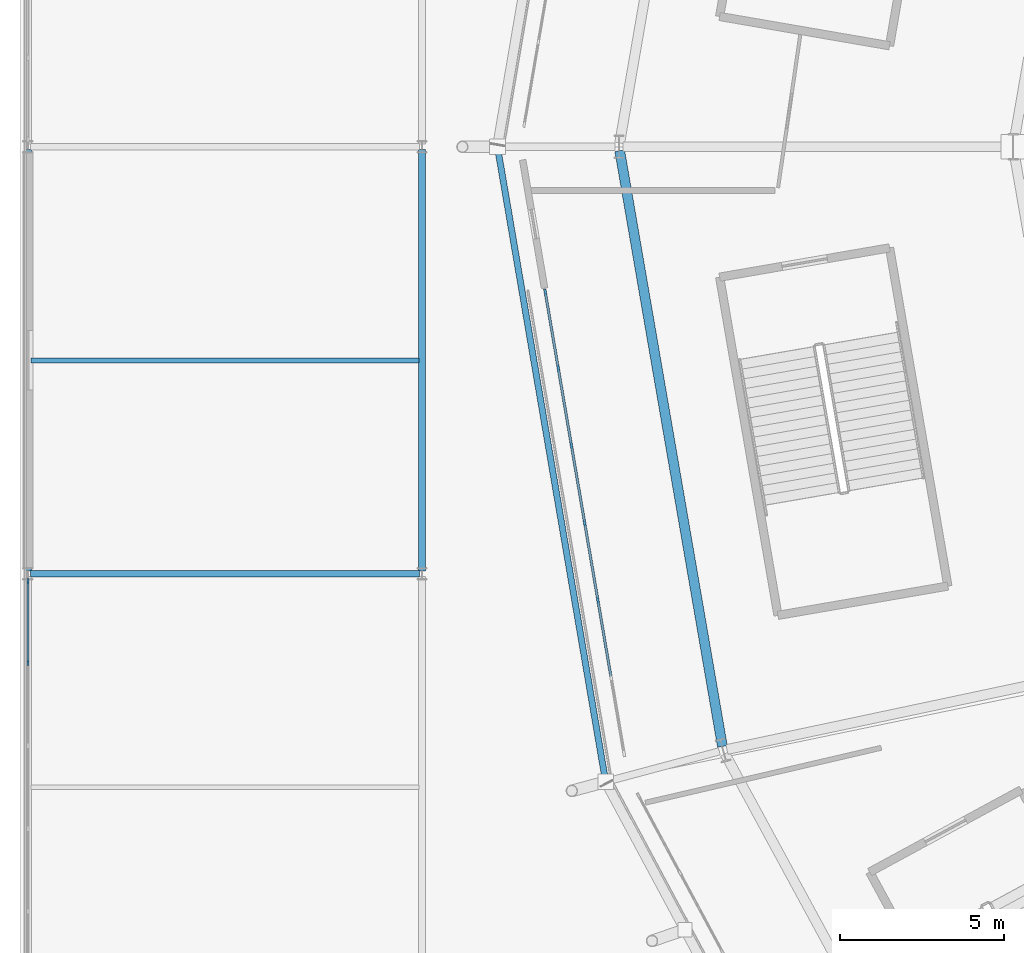
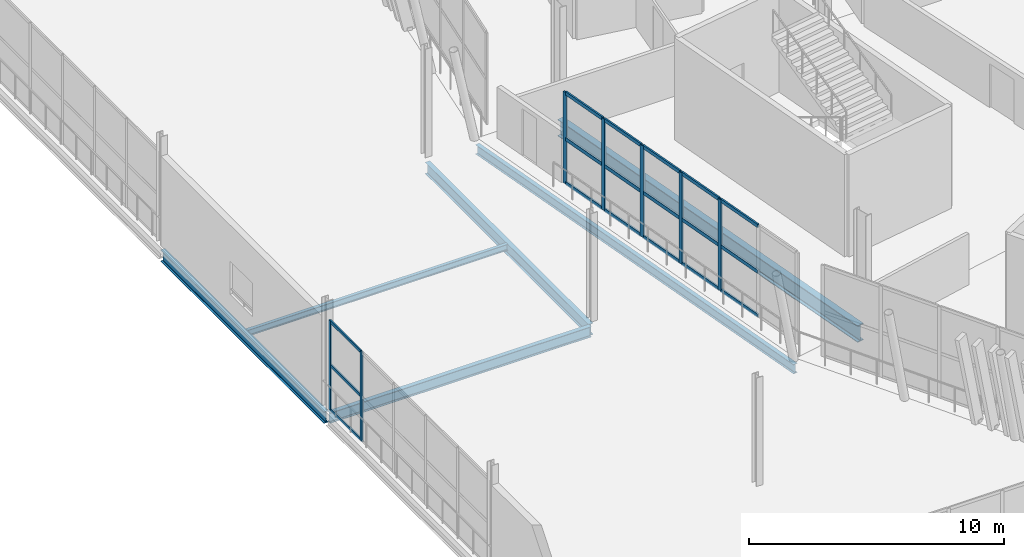
# One storey, part 35 of 168: 25 members, 6 beams, 2 elements without a shape of their own.
"""IFC4 building model written with IfcOpenShell, lengths in metres."""

from ifc_helpers import new_model, si_unit, direction, frame, origin, origin_2d, place, context, subcontext, project, spatial, rectangle, i_section, extrude, material, material_profile, profile_set, type_object, element, aggregate, save


model = new_model("IFC4")

# Units and contexts
model_context = context("Model", 3, precision=1e-05, world=origin(), true_north=direction((0.0, 1.0)))
body_context = subcontext(model_context, "Body", "Model", "MODEL_VIEW")
ifc_project = project(units=[si_unit("LENGTHUNIT", "METRE"), si_unit("AREAUNIT", "SQUARE_METRE"), si_unit("VOLUMEUNIT", "CUBIC_METRE"), si_unit("PLANEANGLEUNIT", "RADIAN"), si_unit("MASSUNIT", "GRAM", prefix="KILO")], contexts=[model_context])

# Site, building, storey
site_placement = place(None, origin())
site = spatial("IfcSite", under=ifc_project, at=site_placement, CompositionType="ELEMENT")
building_placement = place(site_placement, origin())
building = spatial("IfcBuilding", under=site, at=building_placement, Name="Zlatoyarsky Gate Stadium", CompositionType="ELEMENT")
storey_placement = place(building_placement, frame((0.0, 0.0, 15.60009765625)))
storey = spatial("IfcBuildingStorey", under=building, at=storey_placement, Name="L03", CompositionType="ELEMENT", Elevation=15.60009765625)

# Curtain wall, members
ifc_material_1 = material(Name="Thermally broken anodised aluminium curtain wall", Category="aluminium")
curtain_wall_type_1 = type_object("IfcCurtainWallType", Name="MONUMENTAL ARCHED GATE GLAZING UPPER", PredefinedType="USERDEFINED", material=ifc_material_1)
curtain_wall_1_placement = place(storey_placement, origin())
curtain_wall_1 = element("IfcCurtainWall", 1, at=curtain_wall_1_placement, inside=storey, type_object=curtain_wall_type_1, Name="Curtain wall CW-L03-12", ObjectType="ARCHED GATE GLAZING", PredefinedType="USERDEFINED")
ifc_material_2 = material(Name="Anodised aluminium 6063-T6", Category="aluminium")
ifc_material_profile_1 = material_profile(ifc_material_2, rectangle(XDim=0.074951171875, YDim=0.18994140625, at=origin_2d()), Name="ALU 75X190")
ifc_profile_set_1 = profile_set([ifc_material_profile_1], Name="Anodised aluminium 6063-T6")
member_type_1 = type_object("IfcMemberType", Name="ALUMINIUM GATE MULLION 75X190", PredefinedType="MULLION", material=ifc_profile_set_1)
member_1_placement = place(storey_placement, frame((15.75341796875, 75.576416015625, 0.0), z_axis=(0.0, 0.0, 1.0), x_axis=(0.985726654508, 0.168353683036, 0.0)))
member_1 = element("IfcMember", 2, at=member_1_placement, type_object=member_type_1, Name="CW-AG2 mullion 1", PredefinedType="MULLION", context=body_context, shape_type="SweptSolid", body=[
    extrude(rectangle(XDim=0.074951171875, YDim=0.18994140625, at=origin_2d()), origin(), (0.0, 0.0, 1.0), 4.3798828125),
])
member_2_placement = place(storey_placement, frame((16.149169921875, 73.25927734375, 0.0), z_axis=(0.0, 0.0, 1.0), x_axis=(0.985726654508, 0.168353683036, 0.0)))
member_2 = element("IfcMember", 3, at=member_2_placement, type_object=member_type_1, Name="CW-AG2 mullion 2", PredefinedType="MULLION", context=body_context, shape_type="SweptSolid", body=[
    extrude(rectangle(XDim=0.074951171875, YDim=0.18994140625, at=origin_2d()), origin(), (0.0, 0.0, 1.0), 4.3798828125),
])
member_3_placement = place(storey_placement, frame((16.55126953125, 70.90478515625, 0.0), z_axis=(0.0, 0.0, 1.0), x_axis=(0.985726654508, 0.168353683036, 0.0)))
member_3 = element("IfcMember", 4, at=member_3_placement, type_object=member_type_1, Name="CW-AG2 mullion 3", PredefinedType="MULLION", context=body_context, shape_type="SweptSolid", body=[
    extrude(rectangle(XDim=0.074951171875, YDim=0.18994140625, at=origin_2d()), origin(), (0.0, 0.0, 1.0), 4.3798828125),
])
member_4_placement = place(storey_placement, frame((16.953369140625, 68.550537109375, 0.0), z_axis=(0.0, 0.0, 1.0), x_axis=(0.985726654508, 0.168353683036, 0.0)))
member_4 = element("IfcMember", 5, at=member_4_placement, type_object=member_type_1, Name="CW-AG2 mullion 4", PredefinedType="MULLION", context=body_context, shape_type="SweptSolid", body=[
    extrude(rectangle(XDim=0.074951171875, YDim=0.18994140625, at=origin_2d()), origin(), (0.0, 0.0, 1.0), 4.3798828125),
])
member_5_placement = place(storey_placement, frame((17.35546875, 66.196044921875, 0.0), z_axis=(0.0, 0.0, 1.0), x_axis=(0.985726654508, 0.168353683036, 0.0)))
member_5 = element("IfcMember", 6, at=member_5_placement, type_object=member_type_1, Name="CW-AG2 mullion 5", PredefinedType="MULLION", context=body_context, shape_type="SweptSolid", body=[
    extrude(rectangle(XDim=0.074951171875, YDim=0.18994140625, at=origin_2d()), origin(), (0.0, 0.0, 1.0), 4.3798828125),
])
ifc_material_profile_2 = material_profile(ifc_material_2, rectangle(XDim=0.074951171875, YDim=0.169921875, at=origin_2d()), Name="ALU 75X170")
ifc_profile_set_2 = profile_set([ifc_material_profile_2], Name="Anodised aluminium 6063-T6")
member_type_2 = type_object("IfcMemberType", Name="ALUMINIUM GATE TRANSOM 75X170", PredefinedType="USERDEFINED", material=ifc_profile_set_2)
member_6_placement = place(storey_placement, frame((15.759521484375, 75.53955078125, 0.037353515625), z_axis=(0.168415948248, -0.985716018119, 0.0), x_axis=(0.985716018119, 0.168415948248, 0.0)))
member_6 = element("IfcMember", 7, at=member_6_placement, type_object=member_type_2, Name="CW-AG2 transom 1.1", ObjectType="TRANSOM", PredefinedType="USERDEFINED", context=body_context, shape_type="SweptSolid", body=[
    extrude(rectangle(XDim=0.074951171875, YDim=0.169921875, at=origin_2d()), origin(), (0.0, 0.0, 1.0), 2.27587890625),
])
member_7_placement = place(storey_placement, frame((15.759521484375, 75.53955078125, 2.14990234375), z_axis=(0.168415948248, -0.985716018119, 0.0), x_axis=(0.985716018119, 0.168415948248, 0.0)))
member_7 = element("IfcMember", 8, at=member_7_placement, type_object=member_type_2, Name="CW-AG2 transom 1.2", ObjectType="TRANSOM", PredefinedType="USERDEFINED", context=body_context, shape_type="SweptSolid", body=[
    extrude(rectangle(XDim=0.074951171875, YDim=0.169921875, at=origin_2d()), origin(), (0.0, 0.0, 1.0), 2.27587890625),
])
member_8_placement = place(storey_placement, frame((15.759521484375, 75.53955078125, 4.34228515625), z_axis=(0.168415948248, -0.985716018119, 0.0), x_axis=(0.985716018119, 0.168415948248, 0.0)))
member_8 = element("IfcMember", 9, at=member_8_placement, type_object=member_type_2, Name="CW-AG2 transom 1.3", ObjectType="TRANSOM", PredefinedType="USERDEFINED", context=body_context, shape_type="SweptSolid", body=[
    extrude(rectangle(XDim=0.074951171875, YDim=0.169921875, at=origin_2d()), origin(), (0.0, 0.0, 1.0), 2.27587890625),
])
member_9_placement = place(storey_placement, frame((16.155517578125, 73.22216796875, 0.037353515625), z_axis=(0.168333980808, -0.985730019278, 0.0), x_axis=(0.985730019278, 0.168333980808, 0.0)))
member_9 = element("IfcMember", 10, at=member_9_placement, type_object=member_type_2, Name="CW-AG2 transom 2.1", ObjectType="TRANSOM", PredefinedType="USERDEFINED", context=body_context, shape_type="SweptSolid", body=[
    extrude(rectangle(XDim=0.074951171875, YDim=0.169921875, at=origin_2d()), origin(), (0.0, 0.0, 1.0), 2.313232421875),
])
member_10_placement = place(storey_placement, frame((16.155517578125, 73.22216796875, 2.14990234375), z_axis=(0.168333980808, -0.985730019278, 0.0), x_axis=(0.985730019278, 0.168333980808, 0.0)))
member_10 = element("IfcMember", 11, at=member_10_placement, type_object=member_type_2, Name="CW-AG2 transom 2.2", ObjectType="TRANSOM", PredefinedType="USERDEFINED", context=body_context, shape_type="SweptSolid", body=[
    extrude(rectangle(XDim=0.074951171875, YDim=0.169921875, at=origin_2d()), origin(), (0.0, 0.0, 1.0), 2.313232421875),
])
member_11_placement = place(storey_placement, frame((16.155517578125, 73.22216796875, 4.34228515625), z_axis=(0.168333980808, -0.985730019278, 0.0), x_axis=(0.985730019278, 0.168333980808, 0.0)))
member_11 = element("IfcMember", 12, at=member_11_placement, type_object=member_type_2, Name="CW-AG2 transom 2.3", ObjectType="TRANSOM", PredefinedType="USERDEFINED", context=body_context, shape_type="SweptSolid", body=[
    extrude(rectangle(XDim=0.074951171875, YDim=0.169921875, at=origin_2d()), origin(), (0.0, 0.0, 1.0), 2.313232421875),
])
member_12_placement = place(storey_placement, frame((16.5576171875, 70.867919921875, 0.037353515625), z_axis=(0.168316470396, -0.985733009386, 0.0), x_axis=(0.985733009386, 0.168316470396, 0.0)))
member_12 = element("IfcMember", 13, at=member_12_placement, type_object=member_type_2, Name="CW-AG2 transom 3.1", ObjectType="TRANSOM", PredefinedType="USERDEFINED", context=body_context, shape_type="SweptSolid", body=[
    extrude(rectangle(XDim=0.074951171875, YDim=0.169921875, at=origin_2d()), origin(), (0.0, 0.0, 1.0), 2.3134765625),
])
member_13_placement = place(storey_placement, frame((16.5576171875, 70.867919921875, 2.14990234375), z_axis=(0.168316470396, -0.985733009386, 0.0), x_axis=(0.985733009386, 0.168316470396, 0.0)))
member_13 = element("IfcMember", 14, at=member_13_placement, type_object=member_type_2, Name="CW-AG2 transom 3.2", ObjectType="TRANSOM", PredefinedType="USERDEFINED", context=body_context, shape_type="SweptSolid", body=[
    extrude(rectangle(XDim=0.074951171875, YDim=0.169921875, at=origin_2d()), origin(), (0.0, 0.0, 1.0), 2.3134765625),
])
member_14_placement = place(storey_placement, frame((16.5576171875, 70.867919921875, 4.34228515625), z_axis=(0.168316470396, -0.985733009386, 0.0), x_axis=(0.985733009386, 0.168316470396, 0.0)))
member_14 = element("IfcMember", 15, at=member_14_placement, type_object=member_type_2, Name="CW-AG2 transom 3.3", ObjectType="TRANSOM", PredefinedType="USERDEFINED", context=body_context, shape_type="SweptSolid", body=[
    extrude(rectangle(XDim=0.074951171875, YDim=0.169921875, at=origin_2d()), origin(), (0.0, 0.0, 1.0), 2.3134765625),
])
member_15_placement = place(storey_placement, frame((16.959716796875, 68.513427734375, 0.037353515625), z_axis=(0.168333980808, -0.985730019278, 0.0), x_axis=(0.985730019278, 0.168333980808, 0.0)))
member_15 = element("IfcMember", 16, at=member_15_placement, type_object=member_type_2, Name="CW-AG2 transom 4.1", ObjectType="TRANSOM", PredefinedType="USERDEFINED", context=body_context, shape_type="SweptSolid", body=[
    extrude(rectangle(XDim=0.074951171875, YDim=0.169921875, at=origin_2d()), origin(), (0.0, 0.0, 1.0), 2.313232421875),
])
member_16_placement = place(storey_placement, frame((16.959716796875, 68.513427734375, 2.14990234375), z_axis=(0.168333980808, -0.985730019278, 0.0), x_axis=(0.985730019278, 0.168333980808, 0.0)))
member_16 = element("IfcMember", 17, at=member_16_placement, type_object=member_type_2, Name="CW-AG2 transom 4.2", ObjectType="TRANSOM", PredefinedType="USERDEFINED", context=body_context, shape_type="SweptSolid", body=[
    extrude(rectangle(XDim=0.074951171875, YDim=0.169921875, at=origin_2d()), origin(), (0.0, 0.0, 1.0), 2.313232421875),
])
member_17_placement = place(storey_placement, frame((16.959716796875, 68.513427734375, 4.34228515625), z_axis=(0.168333980808, -0.985730019278, 0.0), x_axis=(0.985730019278, 0.168333980808, 0.0)))
member_17 = element("IfcMember", 18, at=member_17_placement, type_object=member_type_2, Name="CW-AG2 transom 4.3", ObjectType="TRANSOM", PredefinedType="USERDEFINED", context=body_context, shape_type="SweptSolid", body=[
    extrude(rectangle(XDim=0.074951171875, YDim=0.169921875, at=origin_2d()), origin(), (0.0, 0.0, 1.0), 2.313232421875),
])
member_18_placement = place(storey_placement, frame((17.36181640625, 66.1591796875, 0.037353515625), z_axis=(0.168333980808, -0.985730019278, 0.0), x_axis=(0.985730019278, 0.168333980808, 0.0)))
member_18 = element("IfcMember", 19, at=member_18_placement, type_object=member_type_2, Name="CW-AG2 transom 5.1", ObjectType="TRANSOM", PredefinedType="USERDEFINED", context=body_context, shape_type="SweptSolid", body=[
    extrude(rectangle(XDim=0.074951171875, YDim=0.169921875, at=origin_2d()), origin(), (0.0, 0.0, 1.0), 2.313232421875),
])
member_19_placement = place(storey_placement, frame((17.36181640625, 66.1591796875, 2.14990234375), z_axis=(0.168333980808, -0.985730019278, 0.0), x_axis=(0.985730019278, 0.168333980808, 0.0)))
member_19 = element("IfcMember", 20, at=member_19_placement, type_object=member_type_2, Name="CW-AG2 transom 5.2", ObjectType="TRANSOM", PredefinedType="USERDEFINED", context=body_context, shape_type="SweptSolid", body=[
    extrude(rectangle(XDim=0.074951171875, YDim=0.169921875, at=origin_2d()), origin(), (0.0, 0.0, 1.0), 2.313232421875),
])
member_20_placement = place(storey_placement, frame((17.36181640625, 66.1591796875, 4.34228515625), z_axis=(0.168333980808, -0.985730019278, 0.0), x_axis=(0.985730019278, 0.168333980808, 0.0)))
member_20 = element("IfcMember", 21, at=member_20_placement, type_object=member_type_2, Name="CW-AG2 transom 5.3", ObjectType="TRANSOM", PredefinedType="USERDEFINED", context=body_context, shape_type="SweptSolid", body=[
    extrude(rectangle(XDim=0.074951171875, YDim=0.169921875, at=origin_2d()), origin(), (0.0, 0.0, 1.0), 2.313232421875),
])
aggregate(curtain_wall_1, [member_1, member_2, member_3, member_4, member_5, member_6, member_7, member_8, member_9, member_10, member_11, member_12, member_13, member_14, member_15, member_16, member_17, member_18, member_19, member_20])

curtain_wall_type_2 = type_object("IfcCurtainWallType", Name="WINTER GARDEN CONSERVATORY GLAZING", PredefinedType="USERDEFINED", material=ifc_material_1)
curtain_wall_2_placement = place(storey_placement, origin())
curtain_wall_2 = element("IfcCurtainWall", 22, at=curtain_wall_2_placement, inside=storey, type_object=curtain_wall_type_2, Name="Curtain wall CW-V4_WEST-L03-171", ObjectType="UNITISED GLAZING", PredefinedType="USERDEFINED")
ifc_material_profile_3 = material_profile(ifc_material_2, rectangle(XDim=0.06494140625, YDim=0.159912109375, at=origin_2d()), Name="ALU 65X160")
ifc_profile_set_3 = profile_set([ifc_material_profile_3], Name="Anodised aluminium 6063-T6")
member_type_3 = type_object("IfcMemberType", Name="ALUMINIUM MULLION 65X160", PredefinedType="MULLION", material=ifc_profile_set_3)
member_21_placement = place(storey_placement, frame((0.0, 64.284912109375, 0.0), z_axis=(0.0, 0.0, 1.0), x_axis=(-1.0, 0.0, 0.0)))
member_21 = element("IfcMember", 23, at=member_21_placement, type_object=member_type_3, Name="CW-WG1 mullion 5", PredefinedType="MULLION", context=body_context, shape_type="SweptSolid", body=[
    extrude(rectangle(XDim=0.06494140625, YDim=0.159912109375, at=origin_2d()), origin(), (0.0, 0.0, 1.0), 4.27978515625),
])
member_22_placement = place(storey_placement, frame((0.0, 66.775390625, 0.0), z_axis=(0.0, 0.0, 1.0), x_axis=(-1.0, 0.0, 0.0)))
member_22 = element("IfcMember", 24, at=member_22_placement, type_object=member_type_3, Name="CW-WG1 mullion 6", PredefinedType="MULLION", context=body_context, shape_type="SweptSolid", body=[
    extrude(rectangle(XDim=0.06494140625, YDim=0.159912109375, at=origin_2d()), origin(), (0.0, 0.0, 1.0), 4.27978515625),
])
ifc_material_profile_4 = material_profile(ifc_material_2, rectangle(XDim=0.06494140625, YDim=0.139892578125, at=origin_2d()), Name="ALU 65X140")
ifc_profile_set_4 = profile_set([ifc_material_profile_4], Name="Anodised aluminium 6063-T6")
member_type_4 = type_object("IfcMemberType", Name="ALUMINIUM TRANSOM 65X140", PredefinedType="USERDEFINED", material=ifc_profile_set_4)
member_23_placement = place(storey_placement, frame((0.0, 64.3173828125, 0.032470703125), z_axis=(0.0, 1.0, 0.0), x_axis=(-1.0, 0.0, 0.0)))
member_23 = element("IfcMember", 25, at=member_23_placement, type_object=member_type_4, Name="CW-WG1 transom 5.1", ObjectType="TRANSOM", PredefinedType="USERDEFINED", context=body_context, shape_type="SweptSolid", body=[
    extrude(rectangle(XDim=0.06494140625, YDim=0.139892578125, at=origin_2d()), origin(), (0.0, 0.0, 1.0), 2.425537109375),
])
member_24_placement = place(storey_placement, frame((0.0, 64.3173828125, 2.14990234375), z_axis=(0.0, 1.0, 0.0), x_axis=(-1.0, 0.0, 0.0)))
member_24 = element("IfcMember", 26, at=member_24_placement, type_object=member_type_4, Name="CW-WG1 transom 5.2", ObjectType="TRANSOM", PredefinedType="USERDEFINED", context=body_context, shape_type="SweptSolid", body=[
    extrude(rectangle(XDim=0.06494140625, YDim=0.139892578125, at=origin_2d()), origin(), (0.0, 0.0, 1.0), 2.425537109375),
])
member_25_placement = place(storey_placement, frame((0.0, 64.3173828125, 4.247314453125), z_axis=(0.0, 1.0, 0.0), x_axis=(-1.0, 0.0, 0.0)))
member_25 = element("IfcMember", 27, at=member_25_placement, type_object=member_type_4, Name="CW-WG1 transom 5.3", ObjectType="TRANSOM", PredefinedType="USERDEFINED", context=body_context, shape_type="SweptSolid", body=[
    extrude(rectangle(XDim=0.06494140625, YDim=0.139892578125, at=origin_2d()), origin(), (0.0, 0.0, 1.0), 2.425537109375),
])
aggregate(curtain_wall_2, [member_21, member_22, member_23, member_24, member_25])

# Beams
ifc_material_3 = material(Name="Steel S355", Category="steel")
ifc_material_profile_5 = material_profile(ifc_material_3, i_section(OverallWidth=0.18994140625, OverallDepth=0.449951171875, WebThickness=0.009521484375, FlangeThickness=0.0146484375, FilletRadius=0.02099609375, at=origin_2d()), Name="IPE 450")
ifc_profile_set_5 = profile_set([ifc_material_profile_5], Name="Steel S355")
beam_type_1 = type_object("IfcBeamType", Name="STEEL EDGE SPANDREL IPE 450", PredefinedType="SPANDREL", material=ifc_profile_set_5)
beam_1_placement = place(storey_placement, frame((14.30126953125, 79.980224609375, -0.505126953125), z_axis=(0.167990203177, -0.985788664794, 0.0), x_axis=(0.985788664794, 0.167990203177, 0.0)))
element("IfcBeam", 28, at=beam_1_placement, inside=storey, type_object=beam_type_1, Name="Beam SP-IPE450 BM-L03-SPD-12", PredefinedType="SPANDREL", context=body_context, shape_type="SweptSolid", body=[
    extrude(i_section(OverallWidth=0.18994140625, OverallDepth=0.449951171875, WebThickness=0.009521484375, FlangeThickness=0.0146484375, FilletRadius=0.02099609375, at=origin_2d()), origin(), (0.0, 0.0, 1.0), 19.572998046875),
])
ifc_material_profile_6 = material_profile(ifc_material_3, i_section(OverallWidth=0.199951171875, OverallDepth=0.5, WebThickness=0.01025390625, FlangeThickness=0.01611328125, FilletRadius=0.02099609375, at=origin_2d()), Name="IPE 500")
ifc_profile_set_6 = profile_set([ifc_material_profile_6], Name="Steel S355")
beam_type_2 = type_object("IfcBeamType", Name="STEEL FLOOR BEAM IPE 500", PredefinedType="BEAM", material=ifc_profile_set_6)
beam_2_placement = place(storey_placement, frame((0.080078125, 67.0, -0.530029296875), z_axis=(1.0, 0.0, 0.0), x_axis=(0.0, 1.0, 0.0)))
element("IfcBeam", 29, at=beam_2_placement, inside=storey, type_object=beam_type_2, Name="Beam B-IPE500 BM-L03-WGX-1-G", PredefinedType="BEAM", context=body_context, shape_type="SweptSolid", body=[
    extrude(i_section(OverallWidth=0.199951171875, OverallDepth=0.5, WebThickness=0.01025390625, FlangeThickness=0.01611328125, FilletRadius=0.02099609375, at=origin_2d()), origin(), (0.0, 0.0, 1.0), 11.83984375),
])
ifc_material_profile_7 = material_profile(ifc_material_3, i_section(OverallWidth=0.2099609375, OverallDepth=0.550048828125, WebThickness=0.010986328125, FlangeThickness=0.01708984375, FilletRadius=0.02392578125, at=origin_2d()), Name="IPE 550")
ifc_profile_set_7 = profile_set([ifc_material_profile_7], Name="Steel S355")
beam_type_3 = type_object("IfcBeamType", Name="STEEL FLOOR BEAM IPE 550", PredefinedType="BEAM", material=ifc_profile_set_7)
for number, where, z_axis, x_axis, name in (
    (30, (0.0, 67.080078125, -0.55517578125), (0.0, 1.0, 0.0), (-1.0, 0.0, 0.0), "Beam B-IPE550 BM-L03-WGY-1-G"),
    (31, (12.0, 67.080078125, -0.55517578125), (0.0, 1.0, 0.0), (-1.0, 0.0, 0.0), "Beam B-IPE550 BM-L03-WGY-2-G"),
):
    element("IfcBeam", number, at=place(storey_placement, frame(where, z_axis=z_axis, x_axis=x_axis)), inside=storey, type_object=beam_type_3, Name=name, PredefinedType="BEAM", context=body_context, shape_type="SweptSolid", body=[
        extrude(i_section(OverallWidth=0.2099609375, OverallDepth=0.550048828125, WebThickness=0.010986328125, FlangeThickness=0.01708984375, FilletRadius=0.02392578125, at=origin_2d()), origin(), (0.0, 0.0, 1.0), 12.83984375),
    ])
ifc_material_profile_8 = material_profile(ifc_material_3, i_section(OverallWidth=0.300048828125, OverallDepth=0.800048828125, WebThickness=0.017578125, FlangeThickness=0.032958984375, FilletRadius=0.030029296875, at=origin_2d()), Name="HEB 800")
ifc_profile_set_8 = profile_set([ifc_material_profile_8], Name="Steel S355")
beam_type_4 = type_object("IfcBeamType", Name="STEEL PRIMARY GIRDER HEB 800", PredefinedType="BEAM", material=ifc_profile_set_8)
beam_3_placement = place(storey_placement, frame((18.0205078125, 79.881591796875, -0.68017578125), z_axis=(0.169930456666, -0.985456056807, 0.0), x_axis=(0.985456056807, 0.169930456666, 0.0)))
element("IfcBeam", 32, at=beam_3_placement, inside=storey, type_object=beam_type_4, Name="Beam G-HEB800 BM-L03-CRC-12", PredefinedType="BEAM", context=body_context, shape_type="SweptSolid", body=[
    extrude(i_section(OverallWidth=0.300048828125, OverallDepth=0.800048828125, WebThickness=0.017578125, FlangeThickness=0.032958984375, FilletRadius=0.030029296875, at=origin_2d()), origin(), (0.0, 0.0, 1.0), 18.4072265625),
])
ifc_material_profile_9 = material_profile(ifc_material_3, i_section(OverallWidth=0.14990234375, OverallDepth=0.300048828125, WebThickness=0.007080078125, FlangeThickness=0.0107421875, FilletRadius=0.014892578125, at=origin_2d()), Name="IPE 300")
ifc_profile_set_9 = profile_set([ifc_material_profile_9], Name="Steel S355")
beam_type_5 = type_object("IfcBeamType", Name="STEEL SECONDARY JOIST IPE 300", PredefinedType="JOIST", material=ifc_profile_set_9)
beam_4_placement = place(storey_placement, frame((0.090087890625, 73.5, -0.43017578125), z_axis=(1.0, 0.0, 0.0), x_axis=(0.0, 1.0, 0.0)))
element("IfcBeam", 33, at=beam_4_placement, inside=storey, type_object=beam_type_5, Name="Beam J-IPE300 JST-L03-1-G", PredefinedType="JOIST", context=body_context, shape_type="SweptSolid", body=[
    extrude(i_section(OverallWidth=0.14990234375, OverallDepth=0.300048828125, WebThickness=0.007080078125, FlangeThickness=0.0107421875, FilletRadius=0.014892578125, at=origin_2d()), origin(), (0.0, 0.0, 1.0), 11.81982421875),
])

save(model, "model.ifc")
